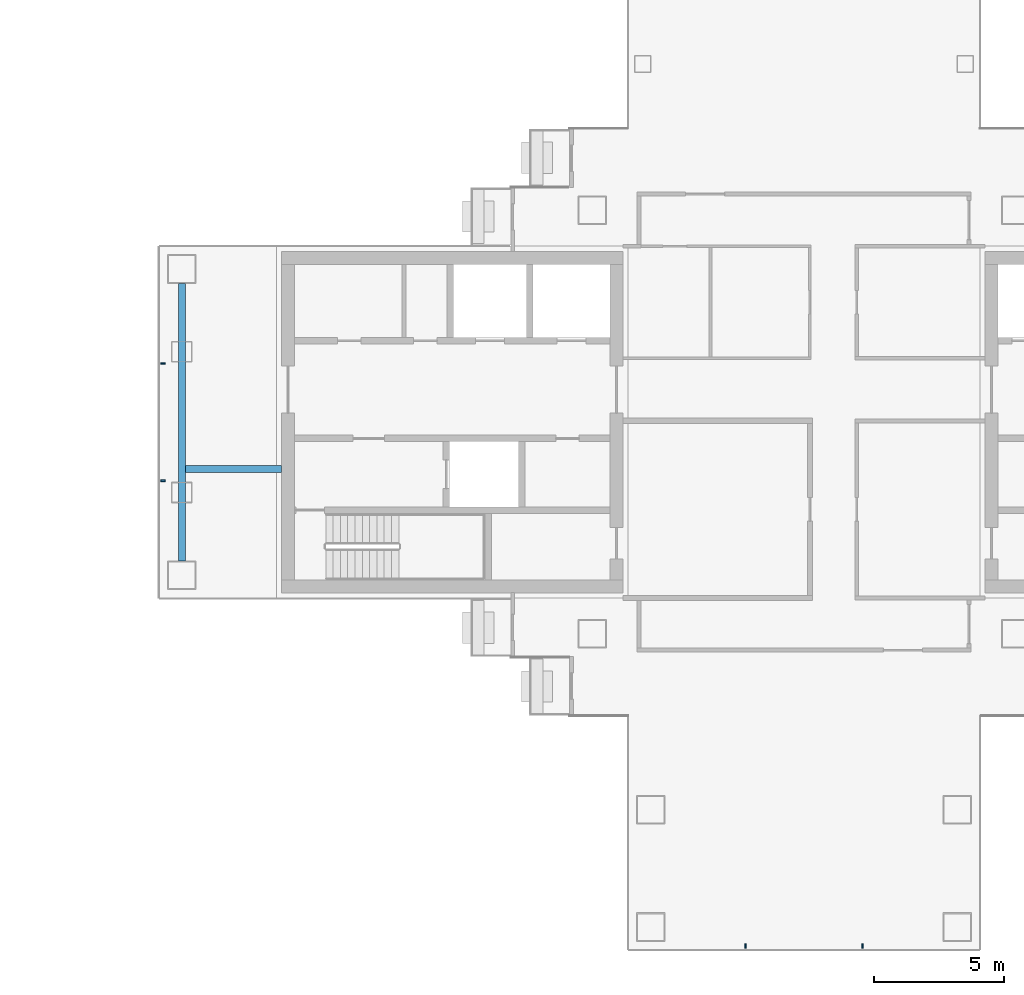
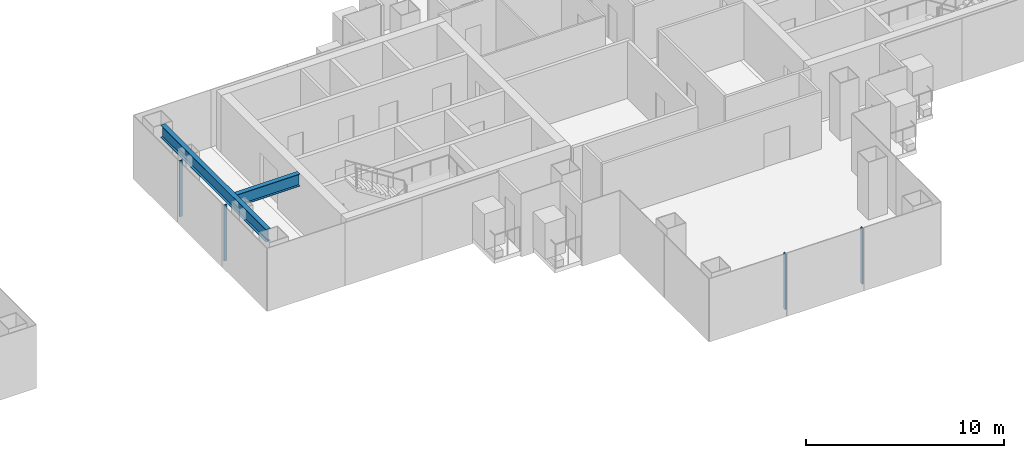
# One storey, part 5 of 16: 4 members, 2 beams, 2 elements without a shape of their own.
"""IFC4 building model written with IfcOpenShell, lengths in metres."""

from ifc_helpers import new_model, si_unit, direction, frame, origin, origin_2d, place, context, subcontext, project, spatial, rectangle, i_section, extrude, material, layer, layer_set, material_profile, profile_set, type_object, element, aggregate, save


model = new_model("IFC4")

# Units and contexts
model_context = context("Model", 3, precision=1e-05, world=origin(), true_north=direction((0.0, 1.0)))
body_context = subcontext(model_context, "Body", "Model", "MODEL_VIEW")
ifc_project = project(units=[si_unit("LENGTHUNIT", "METRE"), si_unit("AREAUNIT", "SQUARE_METRE"), si_unit("VOLUMEUNIT", "CUBIC_METRE"), si_unit("PLANEANGLEUNIT", "RADIAN"), si_unit("MASSUNIT", "GRAM", prefix="KILO")], contexts=[model_context])

# Site, building, storey
site_placement = place(None, origin())
site = spatial("IfcSite", under=ifc_project, at=site_placement, CompositionType="ELEMENT")
building_placement = place(site_placement, origin())
building = spatial("IfcBuilding", under=site, at=building_placement, Name="Shamsa Quay Exchange Towers", CompositionType="ELEMENT")
storey_placement = place(building_placement, frame((0.0, 0.0, 138.89990234375)))
storey = spatial("IfcBuildingStorey", under=building, at=storey_placement, Name="L32", CompositionType="ELEMENT", Elevation=138.89990234375)

# Curtain wall, members
ifc_material_1 = material(Name="Aluminium EN AW-6063 T6, black anodised", Category="aluminium")
ifc_layer = layer(ifc_material_1, 0.280029296875)
ifc_layer_set = layer_set([ifc_layer], Name="CW-1 UNITISED VISION GLASS")
curtain_wall_type = type_object("IfcCurtainWallType", Name="CW-1 UNITISED VISION GLASS", PredefinedType="NOTDEFINED", material=ifc_layer_set)
curtain_wall_1_placement = place(storey_placement, origin())
curtain_wall_1 = element("IfcCurtainWall", 1, at=curtain_wall_1_placement, inside=storey, type_object=curtain_wall_type, Name="CW1 T2-END-V+ L32", PredefinedType="NOTDEFINED")
ifc_material_profile_1 = material_profile(ifc_material_1, rectangle(XDim=0.179931640625, YDim=0.06005859375, at=origin_2d()), Name="MU60x180")
ifc_profile_set_1 = profile_set([ifc_material_profile_1], Name="Aluminium EN AW-6063 T6, black anodised")
member_type = type_object("IfcMemberType", Name="CW1 MULLION 60x180", PredefinedType="MULLION", material=ifc_profile_set_1)
member_1_placement = place(storey_placement, frame((9.14990234375, 2.25, 0.0)))
member_1 = element("IfcMember", 2, at=member_1_placement, type_object=member_type, Name="CW1 mullion", PredefinedType="MULLION", context=body_context, shape_type="SweptSolid", body=[
    extrude(rectangle(XDim=0.179931640625, YDim=0.06005859375, at=origin_2d()), origin(), (0.0, 0.0, 1.0), 3.4501953125),
])
member_2_placement = place(storey_placement, frame((9.14990234375, -2.25, 0.0)))
member_2 = element("IfcMember", 3, at=member_2_placement, type_object=member_type, Name="CW1 mullion", PredefinedType="MULLION", context=body_context, shape_type="SweptSolid", body=[
    extrude(rectangle(XDim=0.179931640625, YDim=0.06005859375, at=origin_2d()), origin(), (0.0, 0.0, 1.0), 3.4501953125),
])
aggregate(curtain_wall_1, [member_1, member_2])

curtain_wall_2_placement = place(storey_placement, origin())
curtain_wall_2 = element("IfcCurtainWall", 4, at=curtain_wall_2_placement, inside=storey, type_object=curtain_wall_type, Name="CW1 T2-END-U- L32", PredefinedType="NOTDEFINED")
member_3_placement = place(storey_placement, frame((31.5, -20.10009765625, 0.0), z_axis=(0.0, 0.0, 1.0), x_axis=(0.0, 1.0, 0.0)))
member_3 = element("IfcMember", 5, at=member_3_placement, type_object=member_type, Name="CW1 mullion", PredefinedType="MULLION", context=body_context, shape_type="SweptSolid", body=[
    extrude(rectangle(XDim=0.179931640625, YDim=0.06005859375, at=origin_2d()), origin(), (0.0, 0.0, 1.0), 3.4501953125),
])
member_4_placement = place(storey_placement, frame((36.0, -20.10009765625, 0.0), z_axis=(0.0, 0.0, 1.0), x_axis=(0.0, 1.0, 0.0)))
member_4 = element("IfcMember", 6, at=member_4_placement, type_object=member_type, Name="CW1 mullion", PredefinedType="MULLION", context=body_context, shape_type="SweptSolid", body=[
    extrude(rectangle(XDim=0.179931640625, YDim=0.06005859375, at=origin_2d()), origin(), (0.0, 0.0, 1.0), 3.4501953125),
])
aggregate(curtain_wall_2, [member_3, member_4])

# Beams
ifc_material_2 = material(Name="Steel S355", Category="steel")
ifc_material_profile_2 = material_profile(ifc_material_2, i_section(OverallWidth=0.26611328125, OverallDepth=0.7578125, WebThickness=0.013916015625, FlangeThickness=0.019287109375, at=origin_2d()), Name="W30x108")
ifc_profile_set_2 = profile_set([ifc_material_profile_2], Name="Steel S355")
beam_type = type_object("IfcBeamType", Name="End-zone beam W30x108", PredefinedType="BEAM", material=ifc_profile_set_2)
beam_1_placement = place(storey_placement, frame((9.875, -5.324951171875, 3.171142578125), z_axis=(0.0, 1.0, 0.0), x_axis=(-1.0, 0.0, 0.0)))
element("IfcBeam", 7, at=beam_1_placement, inside=storey, type_object=beam_type, Name="End beam T2 V+ end zone L32", PredefinedType="BEAM", context=body_context, shape_type="SweptSolid", body=[
    extrude(i_section(OverallWidth=0.26611328125, OverallDepth=0.7578125, WebThickness=0.013916015625, FlangeThickness=0.019287109375, at=origin_2d()), origin(), (0.0, 0.0, 1.0), 10.64990234375),
])
beam_2_placement = place(storey_placement, frame((13.699951171875, -1.800048828125, 3.171142578125), z_axis=(-1.0, 0.0, 0.0), x_axis=(0.0, -1.0, 0.0)))
element("IfcBeam", 8, at=beam_2_placement, inside=storey, type_object=beam_type, Name="Spine beam T2 V+ end zone L32", PredefinedType="BEAM", context=body_context, shape_type="SweptSolid", body=[
    extrude(i_section(OverallWidth=0.26611328125, OverallDepth=0.7578125, WebThickness=0.013916015625, FlangeThickness=0.019287109375, at=origin_2d()), origin(), (0.0, 0.0, 1.0), 3.69189453125),
])

save(model, "model.ifc")
